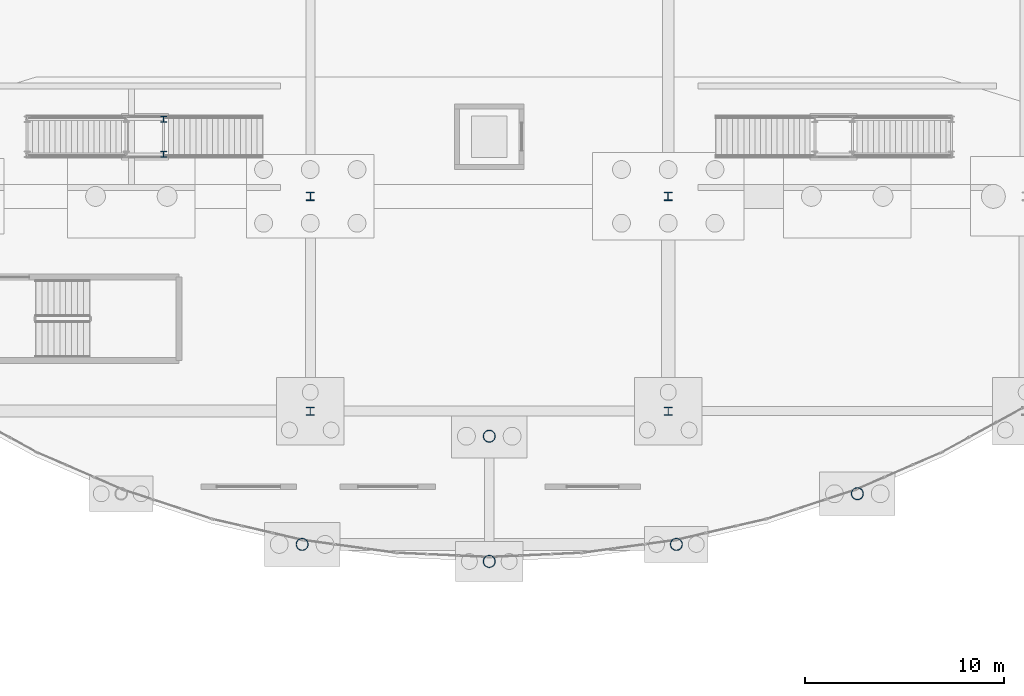
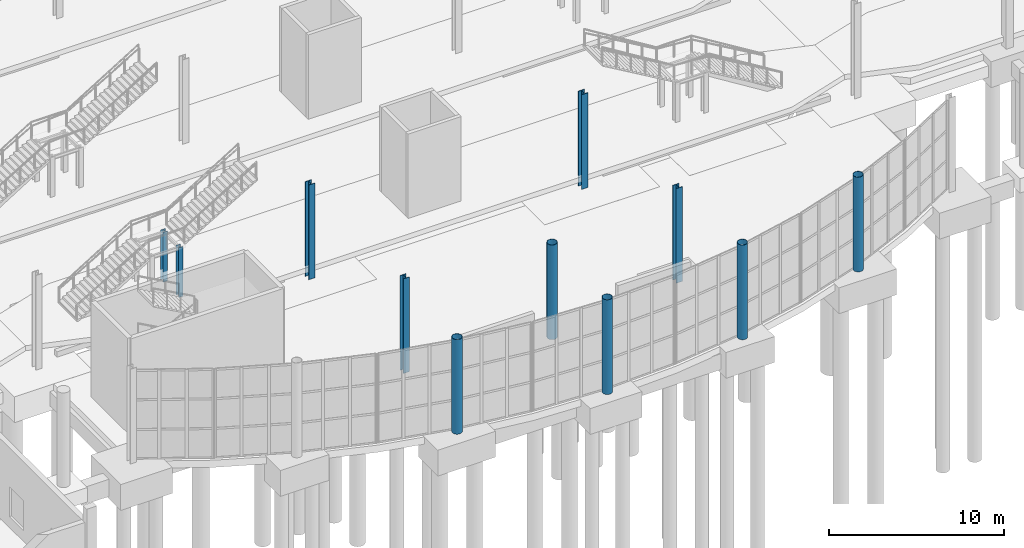
# One storey, part 13 of 115: 11 columns.
"""IFC4 building model written with IfcOpenShell, lengths in metres."""

from ifc_helpers import new_model, si_unit, direction, frame, origin, origin_2d, place, context, subcontext, project, spatial, hollow_circle, i_section, extrude, material, material_profile, profile_set, type_object, element, save


model = new_model("IFC4")

# Units and contexts
model_context = context("Model", 3, precision=1e-05, world=origin(), true_north=direction((0.0, 1.0)))
body_context = subcontext(model_context, "Body", "Model", "MODEL_VIEW")
ifc_project = project(units=[si_unit("LENGTHUNIT", "METRE"), si_unit("AREAUNIT", "SQUARE_METRE"), si_unit("VOLUMEUNIT", "CUBIC_METRE"), si_unit("PLANEANGLEUNIT", "RADIAN"), si_unit("MASSUNIT", "GRAM", prefix="KILO")], contexts=[model_context])

# Site, building, storey
site_placement = place(None, origin())
site = spatial("IfcSite", under=ifc_project, at=site_placement, CompositionType="ELEMENT")
building_placement = place(site_placement, origin())
building = spatial("IfcBuilding", under=site, at=building_placement, Name="Tamarisk Ironworks Central Station", CompositionType="ELEMENT")
storey_placement = place(building_placement, origin())
storey = spatial("IfcBuildingStorey", under=building, at=storey_placement, Name="L00", CompositionType="ELEMENT", Elevation=0.0)

# Columns
ifc_material_1 = material(Name="Structural steel S355J2", Category="steel")
ifc_material_profile_1 = material_profile(ifc_material_1, i_section(OverallWidth=0.408935546875, OverallDepth=0.425048828125, WebThickness=0.02490234375, FlangeThickness=0.0390625, at=origin_2d()), Name="HD 400x421")
ifc_profile_set_1 = profile_set([ifc_material_profile_1], Name="Structural steel S355J2")
column_type_1 = type_object("IfcColumnType", Name="COL-S01", PredefinedType="COLUMN", material=ifc_profile_set_1)
for number, where, z_axis, x_axis, name in (
    (1, (72.0, 21.60009765625, 0.0), (0.0, 0.0, 1.0), (1.0, 0.0, 0.0), "L00 column V2-09C"),
    (2, (90.0, 21.60009765625, 0.0), (0.0, 0.0, 1.0), (1.0, 0.0, 0.0), "L00 column V2-12C"),
):
    element("IfcColumn", number, at=place(storey_placement, frame(where, z_axis=z_axis, x_axis=x_axis)), inside=storey, type_object=column_type_1, Name=name, PredefinedType="COLUMN", context=body_context, shape_type="SweptSolid", body=[
        extrude(i_section(OverallWidth=0.408935546875, OverallDepth=0.425048828125, WebThickness=0.02490234375, FlangeThickness=0.0390625, at=origin_2d()), origin(), (0.0, 0.0, 1.0), 6.60009765625),
    ])
ifc_material_profile_2 = material_profile(ifc_material_1, i_section(OverallWidth=0.40087890625, OverallDepth=0.39892578125, WebThickness=0.018798828125, FlangeThickness=0.029052734375, at=origin_2d()), Name="HD 400x314")
ifc_profile_set_2 = profile_set([ifc_material_profile_2], Name="Structural steel S355J2")
column_type_2 = type_object("IfcColumnType", Name="COL-S04", PredefinedType="COLUMN", material=ifc_profile_set_2)
for number, where, z_axis, x_axis, name in (
    (3, (72.0, 10.800048828125, 0.0), (0.0, 0.0, 1.0), (1.0, 0.0, 0.0), "L00 column V2-09B"),
    (4, (90.0, 10.800048828125, 0.0), (0.0, 0.0, 1.0), (1.0, 0.0, 0.0), "L00 column V2-12B"),
):
    element("IfcColumn", number, at=place(storey_placement, frame(where, z_axis=z_axis, x_axis=x_axis)), inside=storey, type_object=column_type_2, Name=name, PredefinedType="COLUMN", context=body_context, shape_type="SweptSolid", body=[
        extrude(i_section(OverallWidth=0.40087890625, OverallDepth=0.39892578125, WebThickness=0.018798828125, FlangeThickness=0.029052734375, at=origin_2d()), origin(), (0.0, 0.0, 1.0), 6.60009765625),
    ])
ifc_material_profile_3 = material_profile(ifc_material_1, i_section(OverallWidth=0.300048828125, OverallDepth=0.300048828125, WebThickness=0.010986328125, FlangeThickness=0.01904296875, at=origin_2d()), Name="HEB 300")
ifc_profile_set_3 = profile_set([ifc_material_profile_3], Name="Structural steel S355J2")
column_type_3 = type_object("IfcColumnType", Name="COL-S12", PredefinedType="COLUMN", material=ifc_profile_set_3)
for number, where, z_axis, x_axis, name in (
    (5, (64.6201171875, 23.719970703125, 0.0), (0.0, 0.0, 1.0), (1.0, 0.0, 0.0), "ST-P1A mid-landing support column 2"),
    (6, (64.6201171875, 25.47998046875, 0.0), (0.0, 0.0, 1.0), (1.0, 0.0, 0.0), "ST-P1A mid-landing support column 4"),
):
    element("IfcColumn", number, at=place(storey_placement, frame(where, z_axis=z_axis, x_axis=x_axis)), inside=storey, type_object=column_type_3, Name=name, PredefinedType="COLUMN", context=body_context, shape_type="SweptSolid", body=[
        extrude(i_section(OverallWidth=0.300048828125, OverallDepth=0.300048828125, WebThickness=0.010986328125, FlangeThickness=0.01904296875, at=origin_2d()), origin(), (0.0, 0.0, 1.0), 3.469970703125),
    ])
ifc_material_2 = material(Name="Painted structural steel S355J2", Category="steel")
ifc_material_profile_4 = material_profile(ifc_material_2, hollow_circle(Radius=0.304931640625, WallThickness=0.02001953125, at=origin_2d()), Name="CHS 610x20")
ifc_profile_set_4 = profile_set([ifc_material_profile_4], Name="Painted structural steel S355J2")
column_type_4 = type_object("IfcColumnType", Name="COL-S15", PredefinedType="COLUMN", material=ifc_profile_set_4)
for number, where, z_axis, x_axis, name in (
    (7, (81.0, 9.5400390625, 0.0), (0.0, 0.0, 1.0), (1.0, 0.0, 0.0), "L00 column V2-SAC"),
    (8, (71.589111328125, 4.099609375, 0.0), (0.0, 0.0, 1.0), (1.0, 0.0, 0.0), "L00 column V2-SN04"),
    (9, (81.0, 3.240966796875, 0.0), (0.0, 0.0, 1.0), (1.0, 0.0, 0.0), "L00 column V2-SN06"),
    (10, (90.410888671875, 4.099609375, 0.0), (0.0, 0.0, 1.0), (1.0, 0.0, 0.0), "L00 column V2-SN08"),
    (11, (99.51123046875, 6.6474609375, 0.0), (0.0, 0.0, 1.0), (1.0, 0.0, 0.0), "L00 column V2-SN10"),
):
    element("IfcColumn", number, at=place(storey_placement, frame(where, z_axis=z_axis, x_axis=x_axis)), inside=storey, type_object=column_type_4, Name=name, PredefinedType="COLUMN", context=body_context, shape_type="SweptSolid", body=[
        extrude(hollow_circle(Radius=0.304931640625, WallThickness=0.02001953125, at=origin_2d()), origin(), (0.0, 0.0, 1.0), 6.60009765625),
    ])

save(model, "model.ifc")
